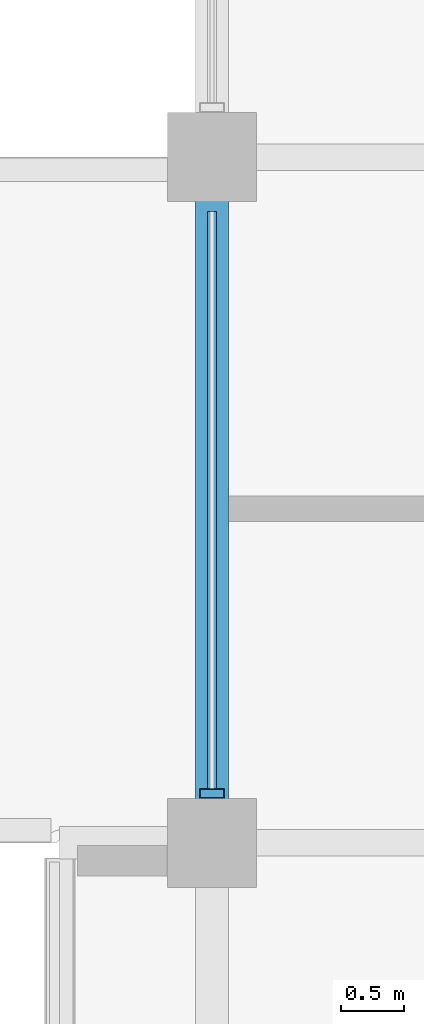
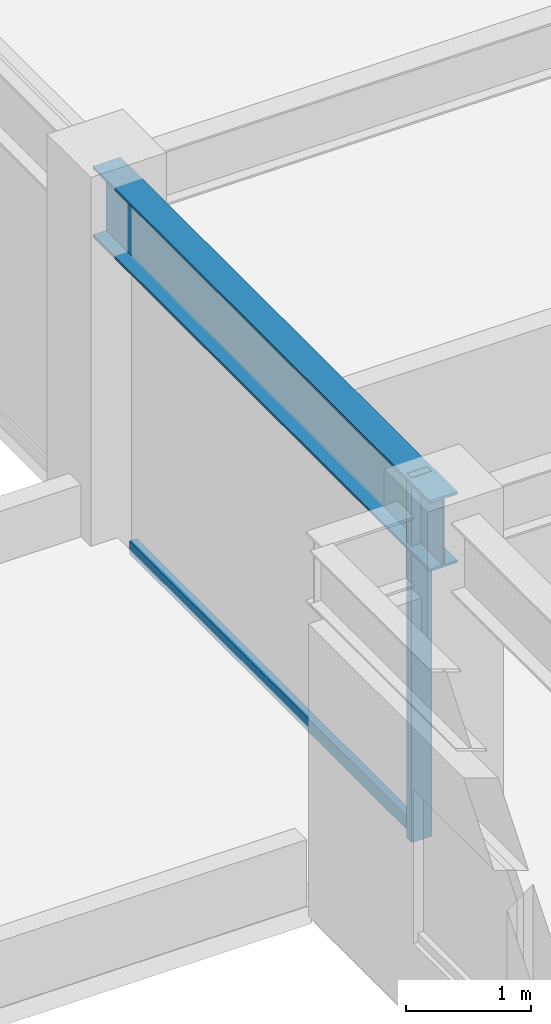
# One storey, part 7 of 31: 2 members, 1 beam, 1 element without a shape of its own.
"""IFC4 building model written with IfcOpenShell, lengths in metres."""

from ifc_helpers import new_model, si_unit, direction, frame, origin, origin_2d, place, context, subcontext, project, spatial, hollow_rectangle, i_section, extrude, material, layer, layer_set, material_profile, profile_set, type_object, element, aggregate, save


model = new_model("IFC4")

# Units and contexts
model_context = context("Model", 3, precision=1e-05, world=origin(), true_north=direction((0.0, 1.0)))
body_context = subcontext(model_context, "Body", "Model", "MODEL_VIEW")
ifc_project = project(units=[si_unit("LENGTHUNIT", "METRE"), si_unit("AREAUNIT", "SQUARE_METRE"), si_unit("VOLUMEUNIT", "CUBIC_METRE"), si_unit("PLANEANGLEUNIT", "RADIAN"), si_unit("MASSUNIT", "GRAM", prefix="KILO")], contexts=[model_context])

# Site, building, storey
site_placement = place(None, origin())
site = spatial("IfcSite", under=ifc_project, at=site_placement, CompositionType="ELEMENT")
building_placement = place(site_placement, origin())
building = spatial("IfcBuilding", under=site, at=building_placement, Name="Surkhivell Harbour Commons", CompositionType="ELEMENT")
storey_placement = place(building_placement, frame((0.0, 0.0, 270.0)))
storey = spatial("IfcBuildingStorey", under=building, at=storey_placement, Name="L70", CompositionType="ELEMENT", Elevation=270.0)

# Beam
ifc_material_1 = material(Name="Steel S355", Category="steel")
ifc_material_profile_1 = material_profile(ifc_material_1, i_section(OverallWidth=0.256103515625, OverallDepth=0.693115234375, WebThickness=0.014404296875, FlangeThickness=0.023681640625, at=origin_2d()), Name="UB686x254x170")
ifc_profile_set_1 = profile_set([ifc_material_profile_1], Name="Steel S355")
beam_type = type_object("IfcBeamType", Name="BM-SPN-686", PredefinedType="SPANDREL", material=ifc_profile_set_1)
beam_placement = place(storey_placement, frame((-27.0, 5.39990234375, 3.223388671875), z_axis=(0.0, 1.0, 0.0), x_axis=(-1.0, 0.0, 0.0)))
element("IfcBeam", 1, at=beam_placement, inside=storey, type_object=beam_type, Name="L70 Tube Spandrel (-27.0,5.4)", PredefinedType="SPANDREL", context=body_context, shape_type="SweptSolid", body=[
    extrude(i_section(OverallWidth=0.256103515625, OverallDepth=0.693115234375, WebThickness=0.014404296875, FlangeThickness=0.023681640625, at=origin_2d()), origin(), (0.0, 0.0, 1.0), 5.400146484375),
])

# Curtain wall, members
ifc_material_2 = material(Name="Anodised pale-metal aluminium and insulated glazing", Category="aluminium")
ifc_layer = layer(ifc_material_2, 0.175048828125)
ifc_layer_set = layer_set([ifc_layer], Name="Anodised pale-metal aluminium and insulated glazing")
curtain_wall_type = type_object("IfcCurtainWallType", Name="CW-SYS-Z4", PredefinedType="NOTDEFINED", material=ifc_layer_set)
curtain_wall_placement = place(storey_placement, origin())
curtain_wall = element("IfcCurtainWall", 2, at=curtain_wall_placement, inside=storey, type_object=curtain_wall_type, Name="L70 Curtain Wall CW-L70-E12R2", PredefinedType="NOTDEFINED")
ifc_material_3 = material(Name="Anodised pale-metal aluminium alloy 6063-T6", Category="aluminium")
ifc_material_profile_2 = material_profile(ifc_material_3, hollow_rectangle(XDim=0.074951171875, YDim=0.18994140625, WallThickness=0.00390625, at=origin_2d()), Name="ALU-MULL-75x190")
ifc_profile_set_2 = profile_set([ifc_material_profile_2], Name="Anodised pale-metal aluminium alloy 6063-T6")
member_type_1 = type_object("IfcMemberType", Name="CWM-190", PredefinedType="MULLION", material=ifc_profile_set_2)
member_1_placement = place(storey_placement, frame((-27.0, 5.78955078125, 0.0), z_axis=(0.0, 0.0, 1.0), x_axis=(0.0, 1.0, 0.0)))
member_1 = element("IfcMember", 3, at=member_1_placement, type_object=member_type_1, Name="CW-Z4 mullion 1", PredefinedType="MULLION", context=body_context, shape_type="SweptSolid", body=[
    extrude(hollow_rectangle(XDim=0.074951171875, YDim=0.18994140625, WallThickness=0.00390625, at=origin_2d()), origin(), (0.0, 0.0, 1.0), 3.570068359375),
])
ifc_material_4 = material(Name="Champagne anodised aluminium alloy 6063-T6", Category="aluminium")
ifc_material_profile_3 = material_profile(ifc_material_4, hollow_rectangle(XDim=0.070068359375, YDim=0.1298828125, WallThickness=0.00341796875, at=origin_2d()), Name="ALU-TRAN-70x130")
ifc_profile_set_3 = profile_set([ifc_material_profile_3], Name="Champagne anodised aluminium alloy 6063-T6")
member_type_2 = type_object("IfcMemberType", Name="CWT-130", PredefinedType="USERDEFINED", material=ifc_profile_set_3)
member_2_placement = place(storey_placement, frame((-27.0, 5.826904296875, 0.06494140625), z_axis=(0.0, 1.0, 0.0), x_axis=(-1.0, 0.0, 0.0)))
member_2 = element("IfcMember", 4, at=member_2_placement, type_object=member_type_2, Name="CW-Z4 transom 1.1", ObjectType="TRANSOM", PredefinedType="USERDEFINED", context=body_context, shape_type="SweptSolid", body=[
    extrude(hollow_rectangle(XDim=0.070068359375, YDim=0.1298828125, WallThickness=0.00341796875, at=origin_2d()), origin(), (0.0, 0.0, 1.0), 4.546142578125),
])
aggregate(curtain_wall, [member_1, member_2])

save(model, "model.ifc")
